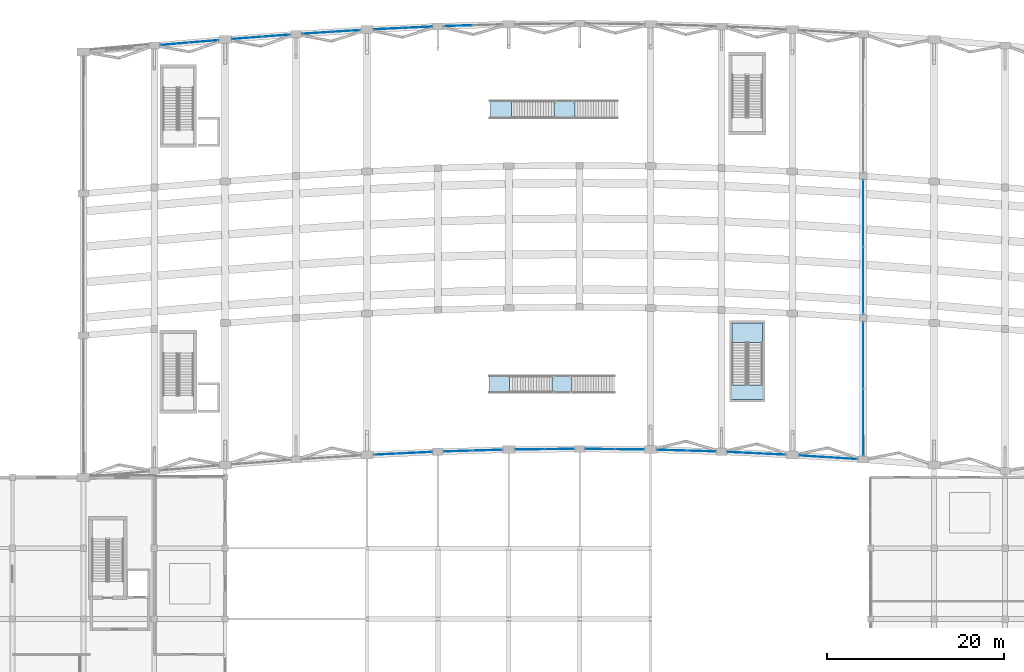
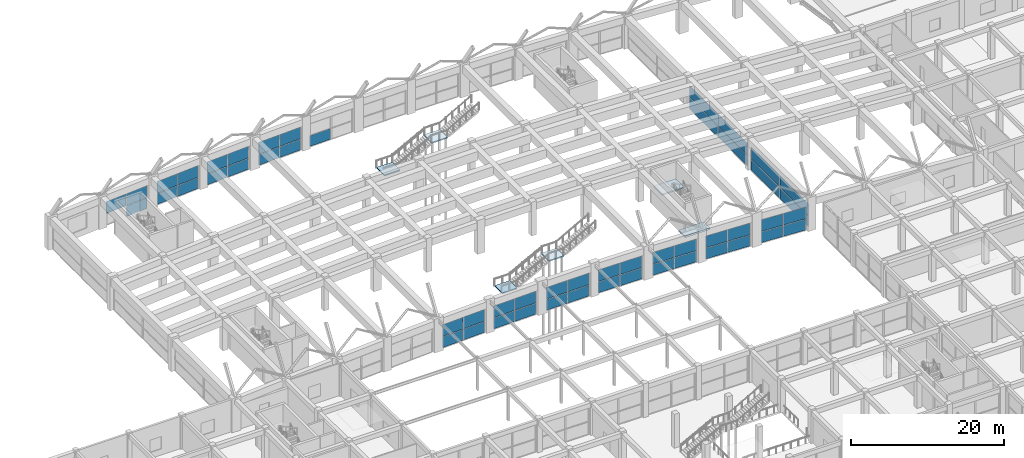
# One storey, part 44 of 69: 52 plates, 6 slabs, 17 elements without a shape of their own.
"""IFC4 building model written with IfcOpenShell, lengths in metres."""

from ifc_helpers import new_model, si_unit, direction, frame, origin, origin_2d, place, context, subcontext, project, spatial, polyline, rectangle, outline, extrude, material, layer, layer_set, type_object, element, aggregate, save


model = new_model("IFC4")

# Units and contexts
model_context = context("Model", 3, precision=1e-05, world=origin(), true_north=direction((0.0, 1.0)))
body_context = subcontext(model_context, "Body", "Model", "MODEL_VIEW")
ifc_project = project(units=[si_unit("LENGTHUNIT", "METRE"), si_unit("AREAUNIT", "SQUARE_METRE"), si_unit("VOLUMEUNIT", "CUBIC_METRE"), si_unit("PLANEANGLEUNIT", "RADIAN"), si_unit("MASSUNIT", "GRAM", prefix="KILO")], contexts=[model_context])

# Site, building, storey
site_placement = place(None, origin())
site = spatial("IfcSite", under=ifc_project, at=site_placement, CompositionType="ELEMENT")
building_placement = place(site_placement, origin())
building = spatial("IfcBuilding", under=site, at=building_placement, Name="Kenh Van Central Station", CompositionType="ELEMENT")
storey_placement = place(building_placement, frame((0.0, 0.0, 5.39990234375)))
storey = spatial("IfcBuildingStorey", under=building, at=storey_placement, Name="L01", CompositionType="ELEMENT", Elevation=5.39990234375)

# Curtain wall, plates
ifc_material_1 = material(Name="Champagne anodised aluminium", Category="aluminium")
curtain_wall_type_1 = type_object("IfcCurtainWallType", Name="CW-HALL-B", PredefinedType="NOTDEFINED", material=ifc_material_1)
curtain_wall_1_placement = place(storey_placement, origin())
curtain_wall_1 = element("IfcCurtainWall", 1, at=curtain_wall_1_placement, inside=storey, type_object=curtain_wall_type_1, Name="L01 curtain wall 100", PredefinedType="NOTDEFINED")
ifc_material_2 = material(Name="Double-glazed low-E laminated solar glass", Category="glass")
ifc_layer_1 = layer(ifc_material_2, 0.031982421875, Name="Double-glazed low-E laminated solar glass")
ifc_layer_set_1 = layer_set([ifc_layer_1], Name="Double-glazed low-E laminated solar glass")
plate_type_1 = type_object("IfcPlateType", Name="CWP-IGU-32", PredefinedType="CURTAIN_PANEL", material=ifc_layer_set_1)
plate_1_placement = place(storey_placement, frame((120.0, 70.2158203125, 0.0703125), z_axis=(0.0, 0.0, 1.0), x_axis=(0.0, 1.0, 0.0)))
plate_1 = element("IfcPlate", 2, at=plate_1_placement, type_object=plate_type_1, Name="CW-02 panel 1.1", PredefinedType="CURTAIN_PANEL", context=body_context, shape_type="SweptSolid", body=[
    extrude(rectangle(XDim=7.47705078125, YDim=0.031982421875, at=origin_2d()), origin(), (0.0, 0.0, 1.0), 1.718994140625),
])
plate_2_placement = place(storey_placement, frame((120.0, 70.2158203125, 1.859130859375), z_axis=(0.0, 0.0, 1.0), x_axis=(0.0, 1.0, 0.0)))
plate_2 = element("IfcPlate", 3, at=plate_2_placement, type_object=plate_type_1, Name="CW-02 panel 1.2", PredefinedType="CURTAIN_PANEL", context=body_context, shape_type="SweptSolid", body=[
    extrude(rectangle(XDim=7.47705078125, YDim=0.031982421875, at=origin_2d()), origin(), (0.0, 0.0, 1.0), 1.87109375),
])
plate_3_placement = place(storey_placement, frame((120.0, 77.774658203125, 0.0703125), z_axis=(0.0, 0.0, 1.0), x_axis=(0.0, 1.0, 0.0)))
plate_3 = element("IfcPlate", 4, at=plate_3_placement, type_object=plate_type_1, Name="CW-02 panel 2.1", PredefinedType="CURTAIN_PANEL", context=body_context, shape_type="SweptSolid", body=[
    extrude(rectangle(XDim=7.47705078125, YDim=0.031982421875, at=origin_2d()), origin(), (0.0, 0.0, 1.0), 1.718994140625),
])
plate_4_placement = place(storey_placement, frame((120.0, 77.774658203125, 1.859130859375), z_axis=(0.0, 0.0, 1.0), x_axis=(0.0, 1.0, 0.0)))
plate_4 = element("IfcPlate", 5, at=plate_4_placement, type_object=plate_type_1, Name="CW-02 panel 2.2", PredefinedType="CURTAIN_PANEL", context=body_context, shape_type="SweptSolid", body=[
    extrude(rectangle(XDim=7.47705078125, YDim=0.031982421875, at=origin_2d()), origin(), (0.0, 0.0, 1.0), 1.87109375),
])
aggregate(curtain_wall_1, [plate_1, plate_2, plate_3, plate_4])

curtain_wall_2_placement = place(storey_placement, origin())
curtain_wall_2 = element("IfcCurtainWall", 6, at=curtain_wall_2_placement, inside=storey, type_object=curtain_wall_type_1, Name="L01 curtain wall 101", PredefinedType="NOTDEFINED")
plate_5_placement = place(storey_placement, frame((120.0, 86.2158203125, 0.0703125), z_axis=(0.0, 0.0, 1.0), x_axis=(0.0, 1.0, 0.0)))
plate_5 = element("IfcPlate", 7, at=plate_5_placement, type_object=plate_type_1, Name="CW-02 panel 1.1", PredefinedType="CURTAIN_PANEL", context=body_context, shape_type="SweptSolid", body=[
    extrude(rectangle(XDim=7.47705078125, YDim=0.031982421875, at=origin_2d()), origin(), (0.0, 0.0, 1.0), 1.718994140625),
])
plate_6_placement = place(storey_placement, frame((120.0, 86.2158203125, 1.859130859375), z_axis=(0.0, 0.0, 1.0), x_axis=(0.0, 1.0, 0.0)))
plate_6 = element("IfcPlate", 8, at=plate_6_placement, type_object=plate_type_1, Name="CW-02 panel 1.2", PredefinedType="CURTAIN_PANEL", context=body_context, shape_type="SweptSolid", body=[
    extrude(rectangle(XDim=7.47705078125, YDim=0.031982421875, at=origin_2d()), origin(), (0.0, 0.0, 1.0), 1.87109375),
])
plate_7_placement = place(storey_placement, frame((120.0, 93.774658203125, 0.0703125), z_axis=(0.0, 0.0, 1.0), x_axis=(0.0, 1.0, 0.0)))
plate_7 = element("IfcPlate", 9, at=plate_7_placement, type_object=plate_type_1, Name="CW-02 panel 2.1", PredefinedType="CURTAIN_PANEL", context=body_context, shape_type="SweptSolid", body=[
    extrude(rectangle(XDim=7.47705078125, YDim=0.031982421875, at=origin_2d()), origin(), (0.0, 0.0, 1.0), 1.718994140625),
])
plate_8_placement = place(storey_placement, frame((120.0, 93.774658203125, 1.859130859375), z_axis=(0.0, 0.0, 1.0), x_axis=(0.0, 1.0, 0.0)))
plate_8 = element("IfcPlate", 10, at=plate_8_placement, type_object=plate_type_1, Name="CW-02 panel 2.2", PredefinedType="CURTAIN_PANEL", context=body_context, shape_type="SweptSolid", body=[
    extrude(rectangle(XDim=7.47705078125, YDim=0.031982421875, at=origin_2d()), origin(), (0.0, 0.0, 1.0), 1.87109375),
])
aggregate(curtain_wall_2, [plate_5, plate_6, plate_7, plate_8])

curtain_wall_3_placement = place(storey_placement, origin())
curtain_wall_3 = element("IfcCurtainWall", 11, at=curtain_wall_3_placement, inside=storey, type_object=curtain_wall_type_1, Name="L01 curtain wall 078", PredefinedType="NOTDEFINED")
ifc_layer_2 = layer(ifc_material_2, 0.033935546875, Name="Double-glazed low-E laminated solar glass")
ifc_layer_set_2 = layer_set([ifc_layer_2], Name="Double-glazed low-E laminated solar glass")
plate_type_2 = type_object("IfcPlateType", Name="CWP-IGU-34", PredefinedType="CURTAIN_PANEL", material=ifc_layer_set_2)
plate_9_placement = place(storey_placement, frame((45.587890625, 113.1845703125, 0.0703125), z_axis=(0.0, 0.0, 1.0), x_axis=(-0.996445133341, -0.084244265333, 0.0)))
plate_9 = element("IfcPlate", 12, at=plate_9_placement, type_object=plate_type_2, Name="CW-02 panel 1.1", PredefinedType="CURTAIN_PANEL", context=body_context, shape_type="SweptSolid", body=[
    extrude(rectangle(XDim=3.210693359375, YDim=0.033935546875, at=origin_2d()), origin(), (0.0, 0.0, 1.0), 1.718994140625),
])
plate_10_placement = place(storey_placement, frame((45.587890625, 113.1845703125, 1.859130859375), z_axis=(0.0, 0.0, 1.0), x_axis=(-0.996445133341, -0.084244265333, 0.0)))
plate_10 = element("IfcPlate", 13, at=plate_10_placement, type_object=plate_type_2, Name="CW-02 panel 1.2", PredefinedType="CURTAIN_PANEL", context=body_context, shape_type="SweptSolid", body=[
    extrude(rectangle(XDim=3.210693359375, YDim=0.033935546875, at=origin_2d()), origin(), (0.0, 0.0, 1.0), 1.87109375),
])
plate_11_placement = place(storey_placement, frame((42.30859375, 112.9072265625, 1.859130859375), z_axis=(0.0, 0.0, 1.0), x_axis=(-0.996445133341, -0.084244265333, 0.0)))
plate_11 = element("IfcPlate", 14, at=plate_11_placement, type_object=plate_type_2, Name="CW-02 panel 2.2", PredefinedType="CURTAIN_PANEL", context=body_context, shape_type="SweptSolid", body=[
    extrude(rectangle(XDim=3.210693359375, YDim=0.033935546875, at=origin_2d()), origin(), (0.0, 0.0, 1.0), 1.87109375),
])
aggregate(curtain_wall_3, [plate_9, plate_10, plate_11])

curtain_wall_4_placement = place(storey_placement, origin())
curtain_wall_4 = element("IfcCurtainWall", 15, at=curtain_wall_4_placement, inside=storey, type_object=curtain_wall_type_1, Name="L01 curtain wall 080", PredefinedType="NOTDEFINED")
plate_12_placement = place(storey_placement, frame((53.692626953125, 113.8203125, 0.0703125), z_axis=(0.0, 0.0, 1.0), x_axis=(-0.997135763271, -0.075632463968, 0.0)))
plate_12 = element("IfcPlate", 16, at=plate_12_placement, type_object=plate_type_2, Name="CW-02 panel 1.1", PredefinedType="CURTAIN_PANEL", context=body_context, shape_type="SweptSolid", body=[
    extrude(rectangle(XDim=3.211181640625, YDim=0.033935546875, at=origin_2d()), origin(), (0.0, 0.0, 1.0), 1.718994140625),
])
plate_13_placement = place(storey_placement, frame((53.692626953125, 113.8203125, 1.859130859375), z_axis=(0.0, 0.0, 1.0), x_axis=(-0.997135763271, -0.075632463968, 0.0)))
plate_13 = element("IfcPlate", 17, at=plate_13_placement, type_object=plate_type_2, Name="CW-02 panel 1.2", PredefinedType="CURTAIN_PANEL", context=body_context, shape_type="SweptSolid", body=[
    extrude(rectangle(XDim=3.211181640625, YDim=0.033935546875, at=origin_2d()), origin(), (0.0, 0.0, 1.0), 1.87109375),
])
plate_14_placement = place(storey_placement, frame((50.41064453125, 113.5712890625, 0.0703125), z_axis=(0.0, 0.0, 1.0), x_axis=(-0.997135763271, -0.075632463968, 0.0)))
plate_14 = element("IfcPlate", 18, at=plate_14_placement, type_object=plate_type_2, Name="CW-02 panel 2.1", PredefinedType="CURTAIN_PANEL", context=body_context, shape_type="SweptSolid", body=[
    extrude(rectangle(XDim=3.211181640625, YDim=0.033935546875, at=origin_2d()), origin(), (0.0, 0.0, 1.0), 1.718994140625),
])
plate_15_placement = place(storey_placement, frame((50.41064453125, 113.5712890625, 1.859130859375), z_axis=(0.0, 0.0, 1.0), x_axis=(-0.997135763271, -0.075632463968, 0.0)))
plate_15 = element("IfcPlate", 19, at=plate_15_placement, type_object=plate_type_2, Name="CW-02 panel 2.2", PredefinedType="CURTAIN_PANEL", context=body_context, shape_type="SweptSolid", body=[
    extrude(rectangle(XDim=3.211181640625, YDim=0.033935546875, at=origin_2d()), origin(), (0.0, 0.0, 1.0), 1.87109375),
])
aggregate(curtain_wall_4, [plate_12, plate_13, plate_14, plate_15])

curtain_wall_5_placement = place(storey_placement, origin())
curtain_wall_5 = element("IfcCurtainWall", 20, at=curtain_wall_5_placement, inside=storey, type_object=curtain_wall_type_1, Name="L01 curtain wall 082", PredefinedType="NOTDEFINED")
plate_16_placement = place(storey_placement, frame((61.591552734375, 114.349365234375, 0.0703125), z_axis=(0.0, 0.0, 1.0), x_axis=(-0.998000154852, -0.063211477724, 0.0)))
plate_16 = element("IfcPlate", 21, at=plate_16_placement, type_object=plate_type_2, Name="CW-02 panel 1.1", PredefinedType="CURTAIN_PANEL", context=body_context, shape_type="SweptSolid", body=[
    extrude(rectangle(XDim=3.21240234375, YDim=0.033935546875, at=origin_2d()), origin(), (0.0, 0.0, 1.0), 1.718994140625),
])
plate_17_placement = place(storey_placement, frame((61.591552734375, 114.349365234375, 1.859130859375), z_axis=(0.0, 0.0, 1.0), x_axis=(-0.998000154852, -0.063211477724, 0.0)))
plate_17 = element("IfcPlate", 22, at=plate_17_placement, type_object=plate_type_2, Name="CW-02 panel 1.2", PredefinedType="CURTAIN_PANEL", context=body_context, shape_type="SweptSolid", body=[
    extrude(rectangle(XDim=3.21240234375, YDim=0.033935546875, at=origin_2d()), origin(), (0.0, 0.0, 1.0), 1.87109375),
])
plate_18_placement = place(storey_placement, frame((58.3056640625, 114.14111328125, 0.0703125), z_axis=(0.0, 0.0, 1.0), x_axis=(-0.998000154852, -0.063211477724, 0.0)))
plate_18 = element("IfcPlate", 23, at=plate_18_placement, type_object=plate_type_2, Name="CW-02 panel 2.1", PredefinedType="CURTAIN_PANEL", context=body_context, shape_type="SweptSolid", body=[
    extrude(rectangle(XDim=3.21240234375, YDim=0.033935546875, at=origin_2d()), origin(), (0.0, 0.0, 1.0), 1.718994140625),
])
plate_19_placement = place(storey_placement, frame((58.3056640625, 114.14111328125, 1.859130859375), z_axis=(0.0, 0.0, 1.0), x_axis=(-0.998000154852, -0.063211477724, 0.0)))
plate_19 = element("IfcPlate", 24, at=plate_19_placement, type_object=plate_type_2, Name="CW-02 panel 2.2", PredefinedType="CURTAIN_PANEL", context=body_context, shape_type="SweptSolid", body=[
    extrude(rectangle(XDim=3.21240234375, YDim=0.033935546875, at=origin_2d()), origin(), (0.0, 0.0, 1.0), 1.87109375),
])
aggregate(curtain_wall_5, [plate_16, plate_17, plate_18, plate_19])

curtain_wall_6_placement = place(storey_placement, origin())
curtain_wall_6 = element("IfcCurtainWall", 25, at=curtain_wall_6_placement, inside=storey, type_object=curtain_wall_type_1, Name="L01 curtain wall 084", PredefinedType="NOTDEFINED")
plate_20_placement = place(storey_placement, frame((69.69677734375, 114.7734375, 0.0703125), z_axis=(0.0, 0.0, 1.0), x_axis=(-0.99886644112, -0.047600764745, 0.0)))
plate_20 = element("IfcPlate", 26, at=plate_20_placement, type_object=plate_type_2, Name="CW-02 panel 1.1", PredefinedType="CURTAIN_PANEL", context=body_context, shape_type="SweptSolid", body=[
    extrude(rectangle(XDim=3.215087890625, YDim=0.033935546875, at=origin_2d()), origin(), (0.0, 0.0, 1.0), 1.718994140625),
])
plate_21_placement = place(storey_placement, frame((69.69677734375, 114.7734375, 1.859130859375), z_axis=(0.0, 0.0, 1.0), x_axis=(-0.99886644112, -0.047600764745, 0.0)))
plate_21 = element("IfcPlate", 27, at=plate_21_placement, type_object=plate_type_2, Name="CW-02 panel 1.2", PredefinedType="CURTAIN_PANEL", context=body_context, shape_type="SweptSolid", body=[
    extrude(rectangle(XDim=3.215087890625, YDim=0.033935546875, at=origin_2d()), origin(), (0.0, 0.0, 1.0), 1.87109375),
])
plate_22_placement = place(storey_placement, frame((66.405517578125, 114.616455078125, 0.0703125), z_axis=(0.0, 0.0, 1.0), x_axis=(-0.99886644112, -0.047600764745, 0.0)))
plate_22 = element("IfcPlate", 28, at=plate_22_placement, type_object=plate_type_2, Name="CW-02 panel 2.1", PredefinedType="CURTAIN_PANEL", context=body_context, shape_type="SweptSolid", body=[
    extrude(rectangle(XDim=3.215087890625, YDim=0.033935546875, at=origin_2d()), origin(), (0.0, 0.0, 1.0), 1.718994140625),
])
plate_23_placement = place(storey_placement, frame((66.405517578125, 114.616455078125, 1.859130859375), z_axis=(0.0, 0.0, 1.0), x_axis=(-0.99886644112, -0.047600764745, 0.0)))
plate_23 = element("IfcPlate", 29, at=plate_23_placement, type_object=plate_type_2, Name="CW-02 panel 2.2", PredefinedType="CURTAIN_PANEL", context=body_context, shape_type="SweptSolid", body=[
    extrude(rectangle(XDim=3.215087890625, YDim=0.033935546875, at=origin_2d()), origin(), (0.0, 0.0, 1.0), 1.87109375),
])
aggregate(curtain_wall_6, [plate_20, plate_21, plate_22, plate_23])

# Curtain wall, plate
curtain_wall_7_placement = place(storey_placement, origin())
curtain_wall_7 = element("IfcCurtainWall", 30, at=curtain_wall_7_placement, inside=storey, type_object=curtain_wall_type_1, Name="L01 curtain wall 086", PredefinedType="NOTDEFINED")
plate_24_placement = place(storey_placement, frame((74.30029296875, 114.951171875, 0.0703125), z_axis=(0.0, 0.0, 1.0), x_axis=(-0.999562692832, -0.029570645876, 0.0)))
plate_24 = element("IfcPlate", 31, at=plate_24_placement, type_object=plate_type_2, Name="CW-02 panel 2.1", PredefinedType="CURTAIN_PANEL", context=body_context, shape_type="SweptSolid", body=[
    extrude(rectangle(XDim=3.219482421875, YDim=0.033935546875, at=origin_2d()), origin(), (0.0, 0.0, 1.0), 1.718994140625),
])
aggregate(curtain_wall_7, [plate_24])

# Curtain wall, plates
curtain_wall_type_2 = type_object("IfcCurtainWallType", Name="CW-HALL-A", PredefinedType="NOTDEFINED", material=ifc_material_1)
curtain_wall_8_placement = place(storey_placement, origin())
curtain_wall_8 = element("IfcCurtainWall", 32, at=curtain_wall_8_placement, inside=storey, type_object=curtain_wall_type_2, Name="L01 curtain wall 083", PredefinedType="NOTDEFINED")
ifc_layer_3 = layer(ifc_material_2, 0.035888671875, Name="Double-glazed low-E laminated solar glass")
ifc_layer_set_3 = layer_set([ifc_layer_3], Name="Double-glazed low-E laminated solar glass")
plate_type_3 = type_object("IfcPlateType", Name="CWP-IGU-36", PredefinedType="CURTAIN_PANEL", material=ifc_layer_set_3)
plate_25_placement = place(storey_placement, frame((66.405517578125, 66.616455078125, 0.0703125), z_axis=(0.0, 0.0, 1.0), x_axis=(0.99886644112, 0.047600764745, 0.0)))
plate_25 = element("IfcPlate", 33, at=plate_25_placement, type_object=plate_type_3, Name="CW-01 panel 1.1", PredefinedType="CURTAIN_PANEL", context=body_context, shape_type="SweptSolid", body=[
    extrude(rectangle(XDim=3.215087890625, YDim=0.035888671875, at=origin_2d()), origin(), (0.0, 0.0, 1.0), 1.718994140625),
])
plate_26_placement = place(storey_placement, frame((66.405517578125, 66.616455078125, 1.859130859375), z_axis=(0.0, 0.0, 1.0), x_axis=(0.99886644112, 0.047600764745, 0.0)))
plate_26 = element("IfcPlate", 34, at=plate_26_placement, type_object=plate_type_3, Name="CW-01 panel 1.2", PredefinedType="CURTAIN_PANEL", context=body_context, shape_type="SweptSolid", body=[
    extrude(rectangle(XDim=3.215087890625, YDim=0.035888671875, at=origin_2d()), origin(), (0.0, 0.0, 1.0), 1.87109375),
])
plate_27_placement = place(storey_placement, frame((69.69677734375, 66.7734375, 0.0703125), z_axis=(0.0, 0.0, 1.0), x_axis=(0.99886644112, 0.047600764745, 0.0)))
plate_27 = element("IfcPlate", 35, at=plate_27_placement, type_object=plate_type_3, Name="CW-01 panel 2.1", PredefinedType="CURTAIN_PANEL", context=body_context, shape_type="SweptSolid", body=[
    extrude(rectangle(XDim=3.215087890625, YDim=0.035888671875, at=origin_2d()), origin(), (0.0, 0.0, 1.0), 1.718994140625),
])
plate_28_placement = place(storey_placement, frame((69.69677734375, 66.7734375, 1.859130859375), z_axis=(0.0, 0.0, 1.0), x_axis=(0.99886644112, 0.047600764745, 0.0)))
plate_28 = element("IfcPlate", 36, at=plate_28_placement, type_object=plate_type_3, Name="CW-01 panel 2.2", PredefinedType="CURTAIN_PANEL", context=body_context, shape_type="SweptSolid", body=[
    extrude(rectangle(XDim=3.215087890625, YDim=0.035888671875, at=origin_2d()), origin(), (0.0, 0.0, 1.0), 1.87109375),
])
aggregate(curtain_wall_8, [plate_25, plate_26, plate_27, plate_28])

curtain_wall_9_placement = place(storey_placement, origin())
curtain_wall_9 = element("IfcCurtainWall", 37, at=curtain_wall_9_placement, inside=storey, type_object=curtain_wall_type_2, Name="L01 curtain wall 085", PredefinedType="NOTDEFINED")
plate_29_placement = place(storey_placement, frame((74.30029296875, 66.951171875, 0.0703125), z_axis=(0.0, 0.0, 1.0), x_axis=(0.999562692832, 0.029570645876, 0.0)))
plate_29 = element("IfcPlate", 38, at=plate_29_placement, type_object=plate_type_3, Name="CW-01 panel 1.1", PredefinedType="CURTAIN_PANEL", context=body_context, shape_type="SweptSolid", body=[
    extrude(rectangle(XDim=3.219482421875, YDim=0.035888671875, at=origin_2d()), origin(), (0.0, 0.0, 1.0), 1.718994140625),
])
plate_30_placement = place(storey_placement, frame((74.30029296875, 66.951171875, 1.859130859375), z_axis=(0.0, 0.0, 1.0), x_axis=(0.999562692832, 0.029570645876, 0.0)))
plate_30 = element("IfcPlate", 39, at=plate_30_placement, type_object=plate_type_3, Name="CW-01 panel 1.2", PredefinedType="CURTAIN_PANEL", context=body_context, shape_type="SweptSolid", body=[
    extrude(rectangle(XDim=3.219482421875, YDim=0.035888671875, at=origin_2d()), origin(), (0.0, 0.0, 1.0), 1.87109375),
])
plate_31_placement = place(storey_placement, frame((77.598388671875, 67.048828125, 0.0703125), z_axis=(0.0, 0.0, 1.0), x_axis=(0.999562692832, 0.029570645876, 0.0)))
plate_31 = element("IfcPlate", 40, at=plate_31_placement, type_object=plate_type_3, Name="CW-01 panel 2.1", PredefinedType="CURTAIN_PANEL", context=body_context, shape_type="SweptSolid", body=[
    extrude(rectangle(XDim=3.219482421875, YDim=0.035888671875, at=origin_2d()), origin(), (0.0, 0.0, 1.0), 1.718994140625),
])
plate_32_placement = place(storey_placement, frame((77.598388671875, 67.048828125, 1.859130859375), z_axis=(0.0, 0.0, 1.0), x_axis=(0.999562692832, 0.029570645876, 0.0)))
plate_32 = element("IfcPlate", 41, at=plate_32_placement, type_object=plate_type_3, Name="CW-01 panel 2.2", PredefinedType="CURTAIN_PANEL", context=body_context, shape_type="SweptSolid", body=[
    extrude(rectangle(XDim=3.219482421875, YDim=0.035888671875, at=origin_2d()), origin(), (0.0, 0.0, 1.0), 1.87109375),
])
aggregate(curtain_wall_9, [plate_29, plate_30, plate_31, plate_32])

curtain_wall_10_placement = place(storey_placement, origin())
curtain_wall_10 = element("IfcCurtainWall", 42, at=curtain_wall_10_placement, inside=storey, type_object=curtain_wall_type_2, Name="L01 curtain wall 087", PredefinedType="NOTDEFINED")
plate_33_placement = place(storey_placement, frame((82.397216796875, 67.143798828125, 0.0703125), z_axis=(0.0, 0.0, 1.0), x_axis=(0.999949879657, 0.010011901592, 0.0)))
plate_33 = element("IfcPlate", 43, at=plate_33_placement, type_object=plate_type_3, Name="CW-01 panel 1.1", PredefinedType="CURTAIN_PANEL", context=body_context, shape_type="SweptSolid", body=[
    extrude(rectangle(XDim=3.22607421875, YDim=0.035888671875, at=origin_2d()), origin(), (0.0, 0.0, 1.0), 1.718994140625),
])
plate_34_placement = place(storey_placement, frame((82.397216796875, 67.143798828125, 1.859130859375), z_axis=(0.0, 0.0, 1.0), x_axis=(0.999949879657, 0.010011901592, 0.0)))
plate_34 = element("IfcPlate", 44, at=plate_34_placement, type_object=plate_type_3, Name="CW-01 panel 1.2", PredefinedType="CURTAIN_PANEL", context=body_context, shape_type="SweptSolid", body=[
    extrude(rectangle(XDim=3.22607421875, YDim=0.035888671875, at=origin_2d()), origin(), (0.0, 0.0, 1.0), 1.87109375),
])
plate_35_placement = place(storey_placement, frame((85.703125, 67.177001953125, 0.0703125), z_axis=(0.0, 0.0, 1.0), x_axis=(0.999949879657, 0.010011901592, 0.0)))
plate_35 = element("IfcPlate", 45, at=plate_35_placement, type_object=plate_type_3, Name="CW-01 panel 2.1", PredefinedType="CURTAIN_PANEL", context=body_context, shape_type="SweptSolid", body=[
    extrude(rectangle(XDim=3.22607421875, YDim=0.035888671875, at=origin_2d()), origin(), (0.0, 0.0, 1.0), 1.718994140625),
])
plate_36_placement = place(storey_placement, frame((85.703125, 67.177001953125, 1.859130859375), z_axis=(0.0, 0.0, 1.0), x_axis=(0.999949879657, 0.010011901592, 0.0)))
plate_36 = element("IfcPlate", 46, at=plate_36_placement, type_object=plate_type_3, Name="CW-01 panel 2.2", PredefinedType="CURTAIN_PANEL", context=body_context, shape_type="SweptSolid", body=[
    extrude(rectangle(XDim=3.22607421875, YDim=0.035888671875, at=origin_2d()), origin(), (0.0, 0.0, 1.0), 1.87109375),
])
aggregate(curtain_wall_10, [plate_33, plate_34, plate_35, plate_36])

curtain_wall_11_placement = place(storey_placement, origin())
curtain_wall_11 = element("IfcCurtainWall", 47, at=curtain_wall_11_placement, inside=storey, type_object=curtain_wall_type_2, Name="L01 curtain wall 089", PredefinedType="NOTDEFINED")
plate_37_placement = place(storey_placement, frame((90.296875, 67.177001953125, 0.0703125), z_axis=(0.0, 0.0, 1.0), x_axis=(0.999949879657, -0.010011901592, 0.0)))
plate_37 = element("IfcPlate", 48, at=plate_37_placement, type_object=plate_type_3, Name="CW-01 panel 1.1", PredefinedType="CURTAIN_PANEL", context=body_context, shape_type="SweptSolid", body=[
    extrude(rectangle(XDim=3.22607421875, YDim=0.035888671875, at=origin_2d()), origin(), (0.0, 0.0, 1.0), 1.718994140625),
])
plate_38_placement = place(storey_placement, frame((90.296875, 67.177001953125, 1.859130859375), z_axis=(0.0, 0.0, 1.0), x_axis=(0.999949879657, -0.010011901592, 0.0)))
plate_38 = element("IfcPlate", 49, at=plate_38_placement, type_object=plate_type_3, Name="CW-01 panel 1.2", PredefinedType="CURTAIN_PANEL", context=body_context, shape_type="SweptSolid", body=[
    extrude(rectangle(XDim=3.22607421875, YDim=0.035888671875, at=origin_2d()), origin(), (0.0, 0.0, 1.0), 1.87109375),
])
plate_39_placement = place(storey_placement, frame((93.602783203125, 67.143798828125, 0.0703125), z_axis=(0.0, 0.0, 1.0), x_axis=(0.999949879657, -0.010011901592, 0.0)))
plate_39 = element("IfcPlate", 50, at=plate_39_placement, type_object=plate_type_3, Name="CW-01 panel 2.1", PredefinedType="CURTAIN_PANEL", context=body_context, shape_type="SweptSolid", body=[
    extrude(rectangle(XDim=3.22607421875, YDim=0.035888671875, at=origin_2d()), origin(), (0.0, 0.0, 1.0), 1.718994140625),
])
plate_40_placement = place(storey_placement, frame((93.602783203125, 67.143798828125, 1.859130859375), z_axis=(0.0, 0.0, 1.0), x_axis=(0.999949879657, -0.010011901592, 0.0)))
plate_40 = element("IfcPlate", 51, at=plate_40_placement, type_object=plate_type_3, Name="CW-01 panel 2.2", PredefinedType="CURTAIN_PANEL", context=body_context, shape_type="SweptSolid", body=[
    extrude(rectangle(XDim=3.22607421875, YDim=0.035888671875, at=origin_2d()), origin(), (0.0, 0.0, 1.0), 1.87109375),
])
aggregate(curtain_wall_11, [plate_37, plate_38, plate_39, plate_40])

curtain_wall_12_placement = place(storey_placement, origin())
curtain_wall_12 = element("IfcCurtainWall", 52, at=curtain_wall_12_placement, inside=storey, type_object=curtain_wall_type_2, Name="L01 curtain wall 091", PredefinedType="NOTDEFINED")
plate_41_placement = place(storey_placement, frame((98.401611328125, 67.048828125, 0.0703125), z_axis=(0.0, 0.0, 1.0), x_axis=(0.999562692832, -0.029570645876, 0.0)))
plate_41 = element("IfcPlate", 53, at=plate_41_placement, type_object=plate_type_3, Name="CW-01 panel 1.1", PredefinedType="CURTAIN_PANEL", context=body_context, shape_type="SweptSolid", body=[
    extrude(rectangle(XDim=3.219482421875, YDim=0.035888671875, at=origin_2d()), origin(), (0.0, 0.0, 1.0), 1.718994140625),
])
plate_42_placement = place(storey_placement, frame((98.401611328125, 67.048828125, 1.859130859375), z_axis=(0.0, 0.0, 1.0), x_axis=(0.999562692832, -0.029570645876, 0.0)))
plate_42 = element("IfcPlate", 54, at=plate_42_placement, type_object=plate_type_3, Name="CW-01 panel 1.2", PredefinedType="CURTAIN_PANEL", context=body_context, shape_type="SweptSolid", body=[
    extrude(rectangle(XDim=3.219482421875, YDim=0.035888671875, at=origin_2d()), origin(), (0.0, 0.0, 1.0), 1.87109375),
])
plate_43_placement = place(storey_placement, frame((101.69970703125, 66.951171875, 0.0703125), z_axis=(0.0, 0.0, 1.0), x_axis=(0.999562692832, -0.029570645876, 0.0)))
plate_43 = element("IfcPlate", 55, at=plate_43_placement, type_object=plate_type_3, Name="CW-01 panel 2.1", PredefinedType="CURTAIN_PANEL", context=body_context, shape_type="SweptSolid", body=[
    extrude(rectangle(XDim=3.219482421875, YDim=0.035888671875, at=origin_2d()), origin(), (0.0, 0.0, 1.0), 1.718994140625),
])
plate_44_placement = place(storey_placement, frame((101.69970703125, 66.951171875, 1.859130859375), z_axis=(0.0, 0.0, 1.0), x_axis=(0.999562692832, -0.029570645876, 0.0)))
plate_44 = element("IfcPlate", 56, at=plate_44_placement, type_object=plate_type_3, Name="CW-01 panel 2.2", PredefinedType="CURTAIN_PANEL", context=body_context, shape_type="SweptSolid", body=[
    extrude(rectangle(XDim=3.219482421875, YDim=0.035888671875, at=origin_2d()), origin(), (0.0, 0.0, 1.0), 1.87109375),
])
aggregate(curtain_wall_12, [plate_41, plate_42, plate_43, plate_44])

curtain_wall_13_placement = place(storey_placement, origin())
curtain_wall_13 = element("IfcCurtainWall", 57, at=curtain_wall_13_placement, inside=storey, type_object=curtain_wall_type_2, Name="L01 curtain wall 093", PredefinedType="NOTDEFINED")
plate_45_placement = place(storey_placement, frame((106.30322265625, 66.7734375, 0.0703125), z_axis=(0.0, 0.0, 1.0), x_axis=(0.99886644112, -0.047600764745, 0.0)))
plate_45 = element("IfcPlate", 58, at=plate_45_placement, type_object=plate_type_3, Name="CW-01 panel 1.1", PredefinedType="CURTAIN_PANEL", context=body_context, shape_type="SweptSolid", body=[
    extrude(rectangle(XDim=3.215087890625, YDim=0.035888671875, at=origin_2d()), origin(), (0.0, 0.0, 1.0), 1.718994140625),
])
plate_46_placement = place(storey_placement, frame((106.30322265625, 66.7734375, 1.859130859375), z_axis=(0.0, 0.0, 1.0), x_axis=(0.99886644112, -0.047600764745, 0.0)))
plate_46 = element("IfcPlate", 59, at=plate_46_placement, type_object=plate_type_3, Name="CW-01 panel 1.2", PredefinedType="CURTAIN_PANEL", context=body_context, shape_type="SweptSolid", body=[
    extrude(rectangle(XDim=3.215087890625, YDim=0.035888671875, at=origin_2d()), origin(), (0.0, 0.0, 1.0), 1.87109375),
])
plate_47_placement = place(storey_placement, frame((109.594482421875, 66.616455078125, 0.0703125), z_axis=(0.0, 0.0, 1.0), x_axis=(0.99886644112, -0.047600764745, 0.0)))
plate_47 = element("IfcPlate", 60, at=plate_47_placement, type_object=plate_type_3, Name="CW-01 panel 2.1", PredefinedType="CURTAIN_PANEL", context=body_context, shape_type="SweptSolid", body=[
    extrude(rectangle(XDim=3.215087890625, YDim=0.035888671875, at=origin_2d()), origin(), (0.0, 0.0, 1.0), 1.718994140625),
])
plate_48_placement = place(storey_placement, frame((109.594482421875, 66.616455078125, 1.859130859375), z_axis=(0.0, 0.0, 1.0), x_axis=(0.99886644112, -0.047600764745, 0.0)))
plate_48 = element("IfcPlate", 61, at=plate_48_placement, type_object=plate_type_3, Name="CW-01 panel 2.2", PredefinedType="CURTAIN_PANEL", context=body_context, shape_type="SweptSolid", body=[
    extrude(rectangle(XDim=3.215087890625, YDim=0.035888671875, at=origin_2d()), origin(), (0.0, 0.0, 1.0), 1.87109375),
])
aggregate(curtain_wall_13, [plate_45, plate_46, plate_47, plate_48])

curtain_wall_14_placement = place(storey_placement, origin())
curtain_wall_14 = element("IfcCurtainWall", 62, at=curtain_wall_14_placement, inside=storey, type_object=curtain_wall_type_2, Name="L01 curtain wall 095", PredefinedType="NOTDEFINED")
plate_49_placement = place(storey_placement, frame((114.408447265625, 66.349365234375, 0.0703125), z_axis=(0.0, 0.0, 1.0), x_axis=(0.998000154852, -0.063211477724, 0.0)))
plate_49 = element("IfcPlate", 63, at=plate_49_placement, type_object=plate_type_3, Name="CW-01 panel 1.1", PredefinedType="CURTAIN_PANEL", context=body_context, shape_type="SweptSolid", body=[
    extrude(rectangle(XDim=3.21240234375, YDim=0.035888671875, at=origin_2d()), origin(), (0.0, 0.0, 1.0), 1.718994140625),
])
plate_50_placement = place(storey_placement, frame((114.408447265625, 66.349365234375, 1.859130859375), z_axis=(0.0, 0.0, 1.0), x_axis=(0.998000154852, -0.063211477724, 0.0)))
plate_50 = element("IfcPlate", 64, at=plate_50_placement, type_object=plate_type_3, Name="CW-01 panel 1.2", PredefinedType="CURTAIN_PANEL", context=body_context, shape_type="SweptSolid", body=[
    extrude(rectangle(XDim=3.21240234375, YDim=0.035888671875, at=origin_2d()), origin(), (0.0, 0.0, 1.0), 1.87109375),
])
plate_51_placement = place(storey_placement, frame((117.6943359375, 66.14111328125, 0.0703125), z_axis=(0.0, 0.0, 1.0), x_axis=(0.998000154852, -0.063211477724, 0.0)))
plate_51 = element("IfcPlate", 65, at=plate_51_placement, type_object=plate_type_3, Name="CW-01 panel 2.1", PredefinedType="CURTAIN_PANEL", context=body_context, shape_type="SweptSolid", body=[
    extrude(rectangle(XDim=3.21240234375, YDim=0.035888671875, at=origin_2d()), origin(), (0.0, 0.0, 1.0), 1.718994140625),
])
plate_52_placement = place(storey_placement, frame((117.6943359375, 66.14111328125, 1.859130859375), z_axis=(0.0, 0.0, 1.0), x_axis=(0.998000154852, -0.063211477724, 0.0)))
plate_52 = element("IfcPlate", 66, at=plate_52_placement, type_object=plate_type_3, Name="CW-01 panel 2.2", PredefinedType="CURTAIN_PANEL", context=body_context, shape_type="SweptSolid", body=[
    extrude(rectangle(XDim=3.21240234375, YDim=0.035888671875, at=origin_2d()), origin(), (0.0, 0.0, 1.0), 1.87109375),
])
aggregate(curtain_wall_14, [plate_49, plate_50, plate_51, plate_52])

# Slabs
ifc_material_3 = material(Name="Concrete C35/45", Category="concrete")
ifc_layer_4 = layer(ifc_material_3, 0.280029296875, Name="Concrete C35/45")
ifc_layer_set_4 = layer_set([ifc_layer_4], Name="Concrete C35/45")
slab_type_1 = type_object("IfcSlabType", Name="SLB-FLR-280", PredefinedType="FLOOR", material=ifc_layer_set_4)
slab_1_placement = place(storey_placement, frame((0.0, 0.0, -0.27978515625)))
element("IfcSlab", 67, at=slab_1_placement, inside=storey, type_object=slab_type_1, Name="L01 slab SLB-L01-PC6", PredefinedType="FLOOR", context=body_context, shape_type="SweptSolid", body=[
    extrude(outline(polyline([(105.0, 72.800048828125), (108.800048828125, 72.800048828125), (108.800048828125, 74.4150390625), (105.0, 74.4150390625), (105.0, 72.800048828125)])), origin(), (0.0, 0.0, 1.0), 0.27978515625),
])
ifc_material_4 = material(Name="Concrete C40/50", Category="concrete")
ifc_layer_5 = layer(ifc_material_4, 0.179931640625, Name="Concrete C40/50")
ifc_layer_set_5 = layer_set([ifc_layer_5], Name="Concrete C40/50")
slab_type_2 = type_object("IfcSlabType", Name="SLB-LAND-180", PredefinedType="LANDING", material=ifc_layer_set_5)
slab_2_placement = place(storey_placement, frame((0.0, 0.0, -0.179931640625)))
element("IfcSlab", 68, at=slab_2_placement, inside=storey, type_object=slab_type_2, Name="L01 platform transfer landing ST-PUB5", PredefinedType="LANDING", context=body_context, shape_type="SweptSolid", body=[
    extrude(outline(polyline([(77.85009765625, 73.52490234375), (80.10009765625, 73.52490234375), (80.10009765625, 75.47509765625), (77.85009765625, 75.47509765625), (77.85009765625, 73.52490234375)])), origin(), (0.0, 0.0, 1.0), 0.179931640625),
])
slab_3_placement = place(storey_placement, frame((0.0, 0.0, -0.179931640625)))
element("IfcSlab", 69, at=slab_3_placement, inside=storey, type_object=slab_type_2, Name="L01 platform transfer landing ST-PUB6", PredefinedType="LANDING", context=body_context, shape_type="SweptSolid", body=[
    extrude(outline(polyline([(77.949951171875, 104.47509765625), (80.300048828125, 104.47509765625), (80.300048828125, 106.52490234375), (77.949951171875, 106.52490234375), (77.949951171875, 104.47509765625)])), origin(), (0.0, 0.0, 1.0), 0.179931640625),
])

# Stair, slab
stair_type_1 = type_object("IfcStairType", Name="STR-PUB-1950", PredefinedType="STRAIGHT_RUN_STAIR", material=ifc_material_4)
stair_1_placement = place(storey_placement, origin())
stair_1 = element("IfcStair", 70, at=stair_1_placement, inside=storey, type_object=stair_type_1, Name="Island Platform 1 Central Transfer Stair", PredefinedType="STRAIGHT_RUN_STAIR")
slab_4_placement = place(storey_placement, frame((0.0, 0.0, 2.52001953125)))
slab_4 = element("IfcSlab", 71, at=slab_4_placement, type_object=slab_type_2, Name="ST-P5B landing 1", PredefinedType="LANDING", context=body_context, shape_type="SweptSolid", body=[
    extrude(outline(polyline([(84.89990234375, 73.52490234375), (87.14990234375, 73.52490234375), (87.14990234375, 75.47509765625), (84.89990234375, 75.47509765625), (84.89990234375, 73.52490234375)])), origin(), (0.0, 0.0, 1.0), 0.18017578125),
])
aggregate(stair_1, [slab_4])

stair_type_2 = type_object("IfcStairType", Name="STR-PUB-2050", PredefinedType="STRAIGHT_RUN_STAIR", material=ifc_material_4)
stair_2_placement = place(storey_placement, origin())
stair_2 = element("IfcStair", 72, at=stair_2_placement, inside=storey, type_object=stair_type_2, Name="Island Platform 2 Central Transfer Stair", PredefinedType="STRAIGHT_RUN_STAIR")
slab_5_placement = place(storey_placement, frame((0.0, 0.0, 2.52001953125)))
slab_5 = element("IfcSlab", 73, at=slab_5_placement, type_object=slab_type_2, Name="ST-P6B landing 1", PredefinedType="LANDING", context=body_context, shape_type="SweptSolid", body=[
    extrude(outline(polyline([(85.10009765625, 104.47509765625), (87.449951171875, 104.47509765625), (87.449951171875, 106.52490234375), (85.10009765625, 106.52490234375), (85.10009765625, 104.47509765625)])), origin(), (0.0, 0.0, 1.0), 0.18017578125),
])
aggregate(stair_2, [slab_5])

stair_type_3 = type_object("IfcStairType", Name="STR-DLG-1600", PredefinedType="HALF_TURN_STAIR", material=ifc_material_3)
stair_3_placement = place(storey_placement, origin())
stair_3 = element("IfcStair", 74, at=stair_3_placement, inside=storey, type_object=stair_type_3, Name="L01 Island Platform 1 East Evacuation Core", PredefinedType="HALF_TURN_STAIR")
ifc_layer_6 = layer(ifc_material_3, 0.199951171875, Name="Concrete C35/45")
ifc_layer_set_6 = layer_set([ifc_layer_6], Name="Concrete C35/45")
slab_type_3 = type_object("IfcSlabType", Name="SLB-LAND-200", PredefinedType="LANDING", material=ifc_layer_set_6)
slab_6_placement = place(storey_placement, frame((0.0, 0.0, 2.5)))
slab_6 = element("IfcSlab", 75, at=slab_6_placement, type_object=slab_type_3, Name="ST-06 landing 1", PredefinedType="LANDING", context=body_context, shape_type="SweptSolid", body=[
    extrude(outline(polyline([(108.60009765625, 79.199951171875), (108.60009765625, 81.39990234375), (105.199951171875, 81.39990234375), (105.199951171875, 79.199951171875), (108.60009765625, 79.199951171875)])), origin(), (0.0, 0.0, 1.0), 0.2001953125),
])
aggregate(stair_3, [slab_6])

save(model, "model.ifc")
